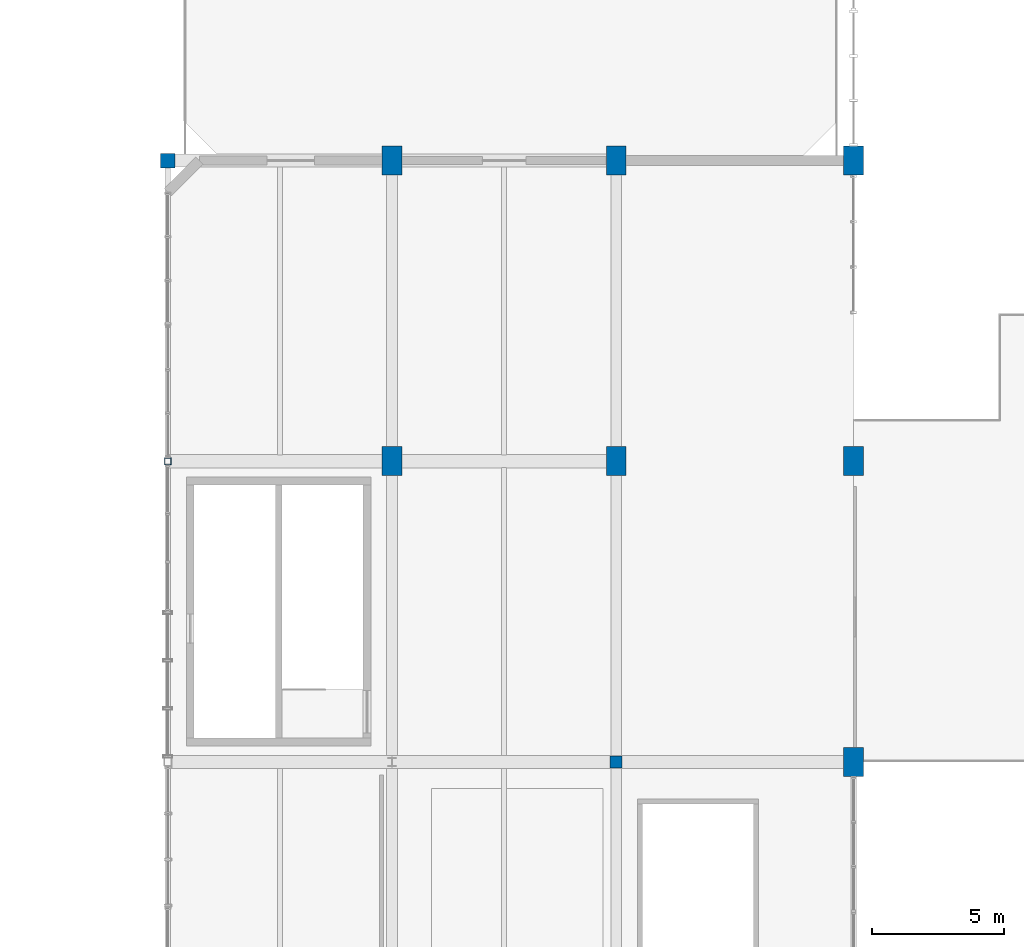
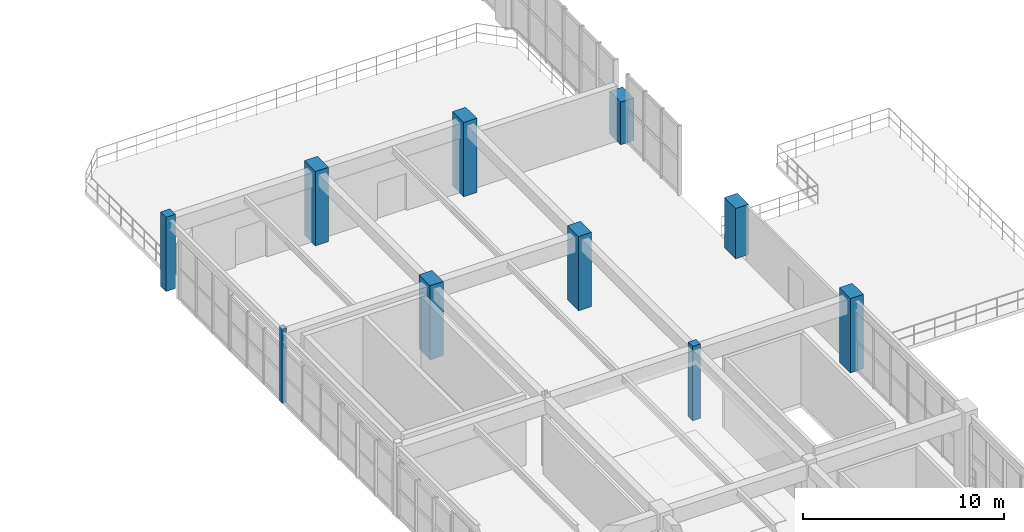
# One storey, part 7 of 80: 10 columns.
"""IFC4 building model written with IfcOpenShell, lengths in metres."""

from ifc_helpers import new_model, si_unit, direction, frame, origin, origin_2d, place, context, subcontext, project, spatial, rectangle, hollow_rectangle, extrude, material, material_profile, profile_set, type_object, element, save


model = new_model("IFC4")

# Units and contexts
model_context = context("Model", 3, precision=1e-05, world=origin(), true_north=direction((0.0, 1.0)))
body_context = subcontext(model_context, "Body", "Model", "MODEL_VIEW")
ifc_project = project(units=[si_unit("LENGTHUNIT", "METRE"), si_unit("AREAUNIT", "SQUARE_METRE"), si_unit("VOLUMEUNIT", "CUBIC_METRE"), si_unit("PLANEANGLEUNIT", "RADIAN"), si_unit("MASSUNIT", "GRAM", prefix="KILO"), si_unit("POWERUNIT", "WATT"), si_unit("THERMODYNAMICTEMPERATUREUNIT", "KELVIN")], contexts=[model_context])

# Site, building, storey
site_placement = place(None, origin())
site = spatial("IfcSite", under=ifc_project, at=site_placement, CompositionType="ELEMENT")
building_placement = place(site_placement, origin())
building = spatial("IfcBuilding", under=site, at=building_placement, Name="Kelmbourne Parkland Aquatics Centre", CompositionType="ELEMENT")
storey_placement = place(building_placement, frame((0.0, 0.0, 10.199951171875)))
storey = spatial("IfcBuildingStorey", under=building, at=storey_placement, Name="L02", CompositionType="ELEMENT", Elevation=10.199951171875)

# Columns
ifc_material_1 = material(Name="Concrete C40/50", Category="concrete")
ifc_material_profile_1 = material_profile(ifc_material_1, rectangle(XDim=0.75, YDim=1.10009765625, at=origin_2d()), Name="RC 750x1100")
ifc_profile_set_1 = profile_set([ifc_material_profile_1], Name="Concrete C40/50")
column_type_1 = type_object("IfcColumnType", Name="COL-C03", PredefinedType="COLUMN", material=ifc_profile_set_1)
for number, where, z_axis, x_axis, name in (
    (1, (110.5, 46.39990234375, 0.0), (0.0, 0.0, 1.0), (1.0, 0.0, 0.0), "Structural column N-06 (L02)"),
    (2, (110.5, 57.800048828125, 0.0), (0.0, 0.0, 1.0), (1.0, 0.0, 0.0), "Structural column N-08 (L02)"),
    (3, (119.0, 46.39990234375, 0.0), (0.0, 0.0, 1.0), (1.0, 0.0, 0.0), "Structural column O-06 (L02)"),
    (4, (119.0, 57.800048828125, 0.0), (0.0, 0.0, 1.0), (1.0, 0.0, 0.0), "Structural column O-08 (L02)"),
    (5, (128.0, 35.0, 0.0), (0.0, 0.0, 1.0), (1.0, 0.0, 0.0), "Structural column P-05 (L02)"),
):
    element("IfcColumn", number, at=place(storey_placement, frame(where, z_axis=z_axis, x_axis=x_axis)), inside=storey, type_object=column_type_1, Name=name, PredefinedType="COLUMN", context=body_context, shape_type="SweptSolid", body=[
        extrude(rectangle(XDim=0.75, YDim=1.10009765625, at=origin_2d()), origin(), (0.0, 0.0, 1.0), 4.5),
    ])
column_1_placement = place(storey_placement, frame((128.0, 46.39990234375, 0.0), z_axis=(0.0, 0.0, 1.0), x_axis=(1.0, 0.0, 0.0)))
element("IfcColumn", 6, at=column_1_placement, inside=storey, type_object=column_type_1, Name="Structural column P-06 (L02)", PredefinedType="COLUMN", context=body_context, shape_type="SweptSolid", body=[
    extrude(rectangle(XDim=0.75, YDim=1.10009765625, at=origin_2d()), origin(), (0.0, 0.0, 1.0), 3.05419921875),
])
column_2_placement = place(storey_placement, frame((128.0, 57.800048828125, 0.0), z_axis=(0.0, 0.0, 1.0), x_axis=(1.0, 0.0, 0.0)))
element("IfcColumn", 7, at=column_2_placement, inside=storey, type_object=column_type_1, Name="Structural column P-08 (L02)", PredefinedType="COLUMN", context=body_context, shape_type="SweptSolid", body=[
    extrude(rectangle(XDim=0.75, YDim=1.10009765625, at=origin_2d()), origin(), (0.0, 0.0, 1.0), 2.58642578125),
])
ifc_material_profile_2 = material_profile(ifc_material_1, rectangle(XDim=0.550048828125, YDim=0.550048828125, at=origin_2d()), Name="RC 550x550")
ifc_profile_set_2 = profile_set([ifc_material_profile_2], Name="Concrete C40/50")
column_type_2 = type_object("IfcColumnType", Name="COL-C07", PredefinedType="COLUMN", material=ifc_profile_set_2)
column_3_placement = place(storey_placement, frame((102.0, 57.800048828125, 0.0), z_axis=(0.0, 0.0, 1.0), x_axis=(1.0, 0.0, 0.0)))
element("IfcColumn", 8, at=column_3_placement, inside=storey, type_object=column_type_2, Name="Structural column M-08 (L02)", PredefinedType="COLUMN", context=body_context, shape_type="SweptSolid", body=[
    extrude(rectangle(XDim=0.550048828125, YDim=0.550048828125, at=origin_2d()), origin(), (0.0, 0.0, 1.0), 4.5),
])
ifc_material_profile_3 = material_profile(ifc_material_1, rectangle(XDim=0.449951171875, YDim=0.449951171875, at=origin_2d()), Name="RC 450x450")
ifc_profile_set_3 = profile_set([ifc_material_profile_3], Name="Concrete C40/50")
column_type_3 = type_object("IfcColumnType", Name="COL-C08", PredefinedType="COLUMN", material=ifc_profile_set_3)
column_4_placement = place(storey_placement, frame((119.0, 35.0, 0.0), z_axis=(0.0, 0.0, 1.0), x_axis=(1.0, 0.0, 0.0)))
element("IfcColumn", 9, at=column_4_placement, inside=storey, type_object=column_type_3, Name="Structural column O-05 (L02)", PredefinedType="COLUMN", context=body_context, shape_type="SweptSolid", body=[
    extrude(rectangle(XDim=0.449951171875, YDim=0.449951171875, at=origin_2d()), origin(), (0.0, 0.0, 1.0), 4.5),
])
ifc_material_2 = material(Name="Cold-formed hollow steel AS/NZS 1163 C350L0", Category="steel")
ifc_material_profile_4 = material_profile(ifc_material_2, hollow_rectangle(XDim=0.25, YDim=0.25, WallThickness=0.012451171875, at=origin_2d()), Name="SHS 250x250x12.5")
ifc_profile_set_4 = profile_set([ifc_material_profile_4], Name="Cold-formed hollow steel AS/NZS 1163 C350L0")
column_type_4 = type_object("IfcColumnType", Name="COL-C23", PredefinedType="COLUMN", material=ifc_profile_set_4)
column_5_placement = place(storey_placement, frame((102.0, 46.39990234375, 0.0), z_axis=(0.0, 0.0, 1.0), x_axis=(1.0, 0.0, 0.0)))
element("IfcColumn", 10, at=column_5_placement, inside=storey, type_object=column_type_4, Name="Structural column M-06 (L02)", PredefinedType="COLUMN", context=body_context, shape_type="SweptSolid", body=[
    extrude(hollow_rectangle(XDim=0.25, YDim=0.25, WallThickness=0.012451171875, at=origin_2d()), origin(), (0.0, 0.0, 1.0), 4.5),
])

save(model, "model.ifc")
